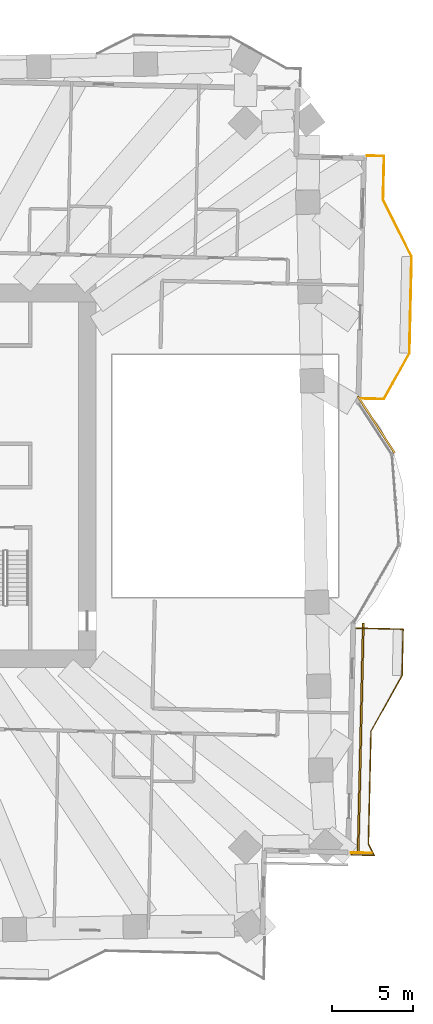
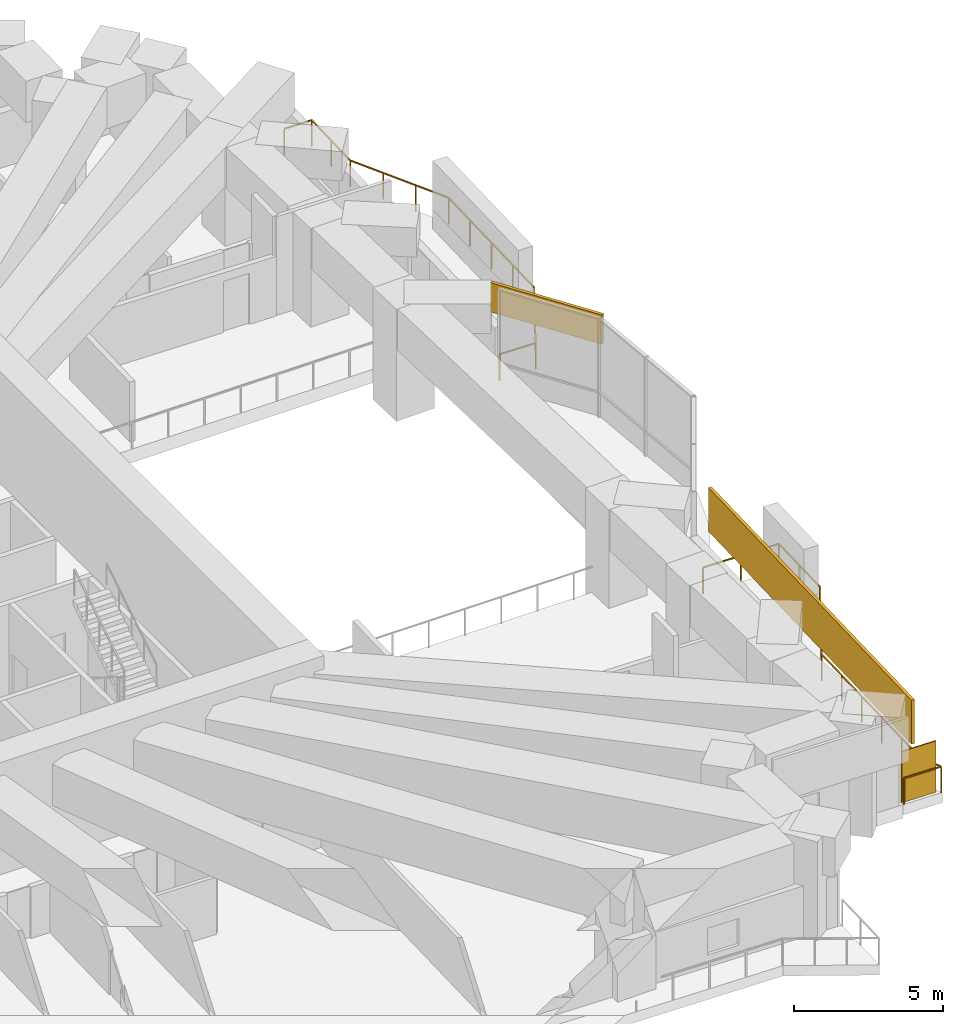
# One storey, part 20 of 20: 2 coverings, 2 railings, 1 shading device.
"""IFC4 building model written with IfcOpenShell, lengths in metres."""

from ifc_helpers import new_model, si_unit, direction, frame, frame_2d, origin, origin_2d, place, context, subcontext, project, spatial, rectangle, extrude, material, layer, layer_set, type_object, element, save


model = new_model("IFC4")

# Units and contexts
model_context = context("Model", 3, precision=1e-05, world=origin(), true_north=direction((0.0, 1.0)))
body_context = subcontext(model_context, "Body", "Model", "MODEL_VIEW")
ifc_project = project(units=[si_unit("LENGTHUNIT", "METRE"), si_unit("AREAUNIT", "SQUARE_METRE"), si_unit("VOLUMEUNIT", "CUBIC_METRE"), si_unit("PLANEANGLEUNIT", "RADIAN"), si_unit("MASSUNIT", "GRAM", prefix="KILO")], contexts=[model_context])

# Site, building, storey
site_placement = place(None, origin())
site = spatial("IfcSite", under=ifc_project, at=site_placement, CompositionType="ELEMENT")
building_placement = place(site_placement, origin())
building = spatial("IfcBuilding", under=site, at=building_placement, Name="Mangrove Gate Tower", CompositionType="ELEMENT")
storey_placement = place(building_placement, frame((0.0, 0.0, 52.10009765625)))
storey = spatial("IfcBuildingStorey", under=building, at=storey_placement, Name="L12", CompositionType="ELEMENT", Elevation=52.10009765625)

# Railings
ifc_material_1 = material(Name="Stainless steel grade 316 with laminated glass infill", Category="steel")
railing_type = type_object("IfcRailingType", Name="Balcony guard 1100", PredefinedType="GUARDRAIL", material=ifc_material_1)
railing_1_placement = place(storey_placement, frame((30.718994140625, -23.51611328125, 0.0)))
element("IfcRailing", 1, at=railing_1_placement, inside=storey, type_object=railing_type, Name="GUARD L12 E1", PredefinedType="GUARDRAIL", context=body_context, shape_type="SweptSolid", body=[
    extrude(rectangle(XDim=0.048095703125, YDim=0.048095703125, at=origin_2d()), frame((0.0, 0.0, 1.076171875), z_axis=(0.999734469698, -0.023043222368, 0.0), x_axis=(0.023043222368, 0.999734469698, 0.0)), (0.0, 0.0, 1.0), 1.430419921875),
    extrude(rectangle(XDim=0.048095703125, YDim=0.048095703125, at=origin_2d()), frame((1.429931640625, -0.032958984375, 1.076171875), z_axis=(-0.446720594514, 0.894673521703, 0.0), x_axis=(-0.894673521703, -0.446720594514, 0.0)), (0.0, 0.0, 1.0), 0.79248046875),
    extrude(rectangle(XDim=0.048095703125, YDim=0.048095703125, at=origin_2d()), frame((1.075927734375, 0.676025390625, 1.076171875), z_axis=(0.022740419861, 0.999741403216, 0.0), x_axis=(-0.999741403216, 0.022740419861, 0.0)), (0.0, 0.0, 1.0), 6.999755859375),
    extrude(rectangle(XDim=0.048095703125, YDim=0.048095703125, at=origin_2d()), frame((1.235107421875, 7.674072265625, 1.076171875), z_axis=(0.48726008209, 0.87325689943, 0.0), x_axis=(-0.87325689943, 0.48726008209, 0.0)), (0.0, 0.0, 1.0), 3.958740234375),
    extrude(rectangle(XDim=0.048095703125, YDim=0.048095703125, at=origin_2d()), frame((3.1640625, 11.131103515625, 1.076171875), z_axis=(0.022590224177, 0.999744808324, 0.0), x_axis=(-0.999744808324, 0.022590224177, 0.0)), (0.0, 0.0, 1.0), 2.874755859375),
    extrude(rectangle(XDim=0.048095703125, YDim=0.048095703125, at=origin_2d()), frame((3.22900390625, 14.005126953125, 1.076171875), z_axis=(-0.999743349437, 0.022654696127, 0.0), x_axis=(-0.022654696127, -0.999743349437, 0.0)), (0.0, 0.0, 1.0), 2.90966796875),
    extrude(rectangle(XDim=0.0419921875, YDim=0.0419921875, at=origin_2d()), origin(), (0.0, 0.0, 1.0), 1.052001953125),
    extrude(rectangle(XDim=0.0419921875, YDim=0.0419921875, at=origin_2d()), frame((1.429931640625, -0.032958984375, 0.0)), (0.0, 0.0, 1.0), 1.052001953125),
    extrude(rectangle(XDim=0.0419921875, YDim=0.0419921875, at=origin_2d()), frame((1.075927734375, 0.676025390625, 0.0)), (0.0, 0.0, 1.0), 1.052001953125),
    extrude(rectangle(XDim=0.0419921875, YDim=0.0419921875, at=origin_2d()), frame((1.107666015625, 2.07568359375, 0.0)), (0.0, 0.0, 1.0), 1.052001953125),
    extrude(rectangle(XDim=0.0419921875, YDim=0.0419921875, at=origin_2d()), frame((1.1396484375, 3.475341796875, 0.0)), (0.0, 0.0, 1.0), 1.052001953125),
    extrude(rectangle(XDim=0.0419921875, YDim=0.0419921875, at=origin_2d()), frame((1.17138671875, 4.874755859375, 0.0)), (0.0, 0.0, 1.0), 1.052001953125),
    extrude(rectangle(XDim=0.0419921875, YDim=0.0419921875, at=origin_2d()), frame((1.203369140625, 6.2744140625, 0.0)), (0.0, 0.0, 1.0), 1.052001953125),
    extrude(rectangle(XDim=0.0419921875, YDim=0.0419921875, at=origin_2d()), frame((1.235107421875, 7.674072265625, 0.0)), (0.0, 0.0, 1.0), 1.052001953125),
    extrude(rectangle(XDim=0.0419921875, YDim=0.0419921875, at=origin_2d()), frame((1.878173828125, 8.826416015625, 0.0)), (0.0, 0.0, 1.0), 1.052001953125),
    extrude(rectangle(XDim=0.0419921875, YDim=0.0419921875, at=origin_2d()), frame((2.52099609375, 9.978759765625, 0.0)), (0.0, 0.0, 1.0), 1.052001953125),
    extrude(rectangle(XDim=0.0419921875, YDim=0.0419921875, at=origin_2d()), frame((3.1640625, 11.131103515625, 0.0)), (0.0, 0.0, 1.0), 1.052001953125),
    extrude(rectangle(XDim=0.0419921875, YDim=0.0419921875, at=origin_2d()), frame((3.196533203125, 12.568115234375, 0.0)), (0.0, 0.0, 1.0), 1.052001953125),
    extrude(rectangle(XDim=0.0419921875, YDim=0.0419921875, at=origin_2d()), frame((3.22900390625, 14.005126953125, 0.0)), (0.0, 0.0, 1.0), 1.052001953125),
    extrude(rectangle(XDim=0.0419921875, YDim=0.0419921875, at=origin_2d()), frame((1.7744140625, 14.0380859375, 0.0)), (0.0, 0.0, 1.0), 1.052001953125),
    extrude(rectangle(XDim=0.0419921875, YDim=0.0419921875, at=origin_2d()), frame((0.320068359375, 14.071044921875, 0.0)), (0.0, 0.0, 1.0), 1.052001953125),
])
railing_2_placement = place(storey_placement, frame((31.362060546875, 4.802001953125, 0.0)))
element("IfcRailing", 2, at=railing_2_placement, inside=storey, type_object=railing_type, Name="GUARD L12 E2", PredefinedType="GUARDRAIL", context=body_context, shape_type="SweptSolid", body=[
    extrude(rectangle(XDim=0.048095703125, YDim=0.048095703125, at=origin_2d()), frame((0.0, 0.0, 1.076171875), z_axis=(0.999735358589, -0.023004625325, 0.0), x_axis=(0.023004625325, 0.999735358589, 0.0)), (0.0, 0.0, 1.0), 1.390380859375),
    extrude(rectangle(XDim=0.048095703125, YDim=0.048095703125, at=origin_2d()), frame((1.389892578125, -0.031982421875, 1.076171875), z_axis=(0.487089238085, 0.873352205093, 0.0), x_axis=(-0.873352205093, 0.487089238085, 0.0)), (0.0, 0.0, 1.0), 3.251953125),
    extrude(rectangle(XDim=0.048095703125, YDim=0.048095703125, at=origin_2d()), frame((2.973876953125, 2.80810546875, 1.076171875), z_axis=(0.02282955947, 0.999739371644, 0.0), x_axis=(-0.999739371644, 0.02282955947, 0.0)), (0.0, 0.0, 1.0), 5.999267578125),
    extrude(rectangle(XDim=0.048095703125, YDim=0.048095703125, at=origin_2d()), frame((3.11083984375, 8.805908203125, 1.076171875), z_axis=(-0.447312255532, 0.894377854182, 0.0), x_axis=(-0.894377854182, -0.447312255532, 0.0)), (0.0, 0.0, 1.0), 3.959228515625),
    extrude(rectangle(XDim=0.048095703125, YDim=0.048095703125, at=origin_2d()), frame((1.33984375, 12.346923828125, 1.076171875), z_axis=(0.02295958807, 0.999736393914, 0.0), x_axis=(-0.999736393914, 0.02295958807, 0.0)), (0.0, 0.0, 1.0), 2.700927734375),
    extrude(rectangle(XDim=0.048095703125, YDim=0.048095703125, at=origin_2d()), frame((1.40185546875, 15.047119140625, 1.076171875), z_axis=(-0.999765634628, 0.021648921828, 0.0), x_axis=(-0.021648921828, -0.999765634628, 0.0)), (0.0, 0.0, 1.0), 1.06005859375),
    extrude(rectangle(XDim=0.0419921875, YDim=0.0419921875, at=origin_2d()), origin(), (0.0, 0.0, 1.0), 1.052001953125),
    extrude(rectangle(XDim=0.0419921875, YDim=0.0419921875, at=origin_2d()), frame((1.389892578125, -0.031982421875, 0.0)), (0.0, 0.0, 1.0), 1.052001953125),
    extrude(rectangle(XDim=0.0419921875, YDim=0.0419921875, at=origin_2d()), frame((1.91796875, 0.914794921875, 0.0)), (0.0, 0.0, 1.0), 1.052001953125),
    extrude(rectangle(XDim=0.0419921875, YDim=0.0419921875, at=origin_2d()), frame((2.44580078125, 1.861328125, 0.0)), (0.0, 0.0, 1.0), 1.052001953125),
    extrude(rectangle(XDim=0.0419921875, YDim=0.0419921875, at=origin_2d()), frame((2.973876953125, 2.80810546875, 0.0)), (0.0, 0.0, 1.0), 1.052001953125),
    extrude(rectangle(XDim=0.0419921875, YDim=0.0419921875, at=origin_2d()), frame((3.008056640625, 4.3076171875, 0.0)), (0.0, 0.0, 1.0), 1.052001953125),
    extrude(rectangle(XDim=0.0419921875, YDim=0.0419921875, at=origin_2d()), frame((3.04248046875, 5.80712890625, 0.0)), (0.0, 0.0, 1.0), 1.052001953125),
    extrude(rectangle(XDim=0.0419921875, YDim=0.0419921875, at=origin_2d()), frame((3.07666015625, 7.306396484375, 0.0)), (0.0, 0.0, 1.0), 1.052001953125),
    extrude(rectangle(XDim=0.0419921875, YDim=0.0419921875, at=origin_2d()), frame((3.11083984375, 8.805908203125, 0.0)), (0.0, 0.0, 1.0), 1.052001953125),
    extrude(rectangle(XDim=0.0419921875, YDim=0.0419921875, at=origin_2d()), frame((2.5205078125, 9.986328125, 0.0)), (0.0, 0.0, 1.0), 1.052001953125),
    extrude(rectangle(XDim=0.0419921875, YDim=0.0419921875, at=origin_2d()), frame((1.93017578125, 11.16650390625, 0.0)), (0.0, 0.0, 1.0), 1.052001953125),
    extrude(rectangle(XDim=0.0419921875, YDim=0.0419921875, at=origin_2d()), frame((1.33984375, 12.346923828125, 0.0)), (0.0, 0.0, 1.0), 1.052001953125),
    extrude(rectangle(XDim=0.0419921875, YDim=0.0419921875, at=origin_2d()), frame((1.370849609375, 13.697021484375, 0.0)), (0.0, 0.0, 1.0), 1.052001953125),
    extrude(rectangle(XDim=0.0419921875, YDim=0.0419921875, at=origin_2d()), frame((1.40185546875, 15.047119140625, 0.0)), (0.0, 0.0, 1.0), 1.052001953125),
    extrude(rectangle(XDim=0.0419921875, YDim=0.0419921875, at=origin_2d()), frame((0.342041015625, 15.070068359375, 0.0)), (0.0, 0.0, 1.0), 1.052001953125),
])

# Shading device
ifc_material_2 = material(Name="Timber slat screen in teak", Category="wood")
shading_device_type = type_object("IfcShadingDeviceType", Name="Balcony screen 2100", PredefinedType="USERDEFINED", material=ifc_material_2)
shading_device_placement = place(storey_placement, frame((31.35693359375, -23.39111328125, -0.000244140625), z_axis=(0.0, 0.0, 1.0), x_axis=(0.999731402821, -0.02317589725, 0.0)))
element("IfcShadingDevice", 3, at=shading_device_placement, inside=storey, type_object=shading_device_type, Name="SCREEN L12 E0", ObjectType="SCREEN", PredefinedType="USERDEFINED", context=body_context, shape_type="SweptSolid", body=[
    extrude(rectangle(XDim=1.31005859375, YDim=0.050048828125, at=origin_2d()), origin(), (0.0, 0.0, 1.0), 2.10009765625),
])

# Coverings
ifc_material_3 = material(Name="Limestone", Category="masonry")
ifc_layer_1 = layer(ifc_material_3, 0.0400390625, Name="Limestone cladding")
ifc_material_4 = material(Name="Stainless steel anchors and cavity", Category="steel")
ifc_layer_2 = layer(ifc_material_4, 0.080078125, Name="Fixing cavity")
ifc_layer_set = layer_set([ifc_layer_1, ifc_layer_2], Name="Joint fascia cladding 120")
covering_type = type_object("IfcCoveringType", Name="Joint fascia cladding 120", PredefinedType="CLADDING", material=ifc_layer_set)
covering_1_placement = place(storey_placement, frame((31.153076171875, -23.3759765625, 2.25), z_axis=(0.0, 0.0, 1.0), x_axis=(0.022698800888, 0.999742349027, 0.0)))
element("IfcCovering", 4, at=covering_1_placement, inside=storey, type_object=covering_type, Name="STONE FASCIA L12 E0.1", PredefinedType="CLADDING", context=body_context, shape_type="SweptSolid", body=[
    extrude(rectangle(XDim=14.229736328125, YDim=0.1201171875, at=frame_2d((7.11474609375, 0.0))), origin(), (0.0, 0.0, 1.0), 1.7998046875),
])
covering_2_placement = place(storey_placement, frame((33.426025390625, 1.419921875, 2.849853515625), z_axis=(0.0, 0.0, 1.0), x_axis=(-0.546347518613, 0.837558588342, 0.0)))
element("IfcCovering", 5, at=covering_2_placement, inside=storey, type_object=covering_type, Name="STONE FASCIA L12 E1.L1", PredefinedType="CLADDING", context=body_context, shape_type="SweptSolid", body=[
    extrude(rectangle(XDim=4.20263671875, YDim=0.1201171875, at=frame_2d((2.101318359375, 0.0))), origin(), (0.0, 0.0, 1.0), 1.199951171875),
])

save(model, "model.ifc")
